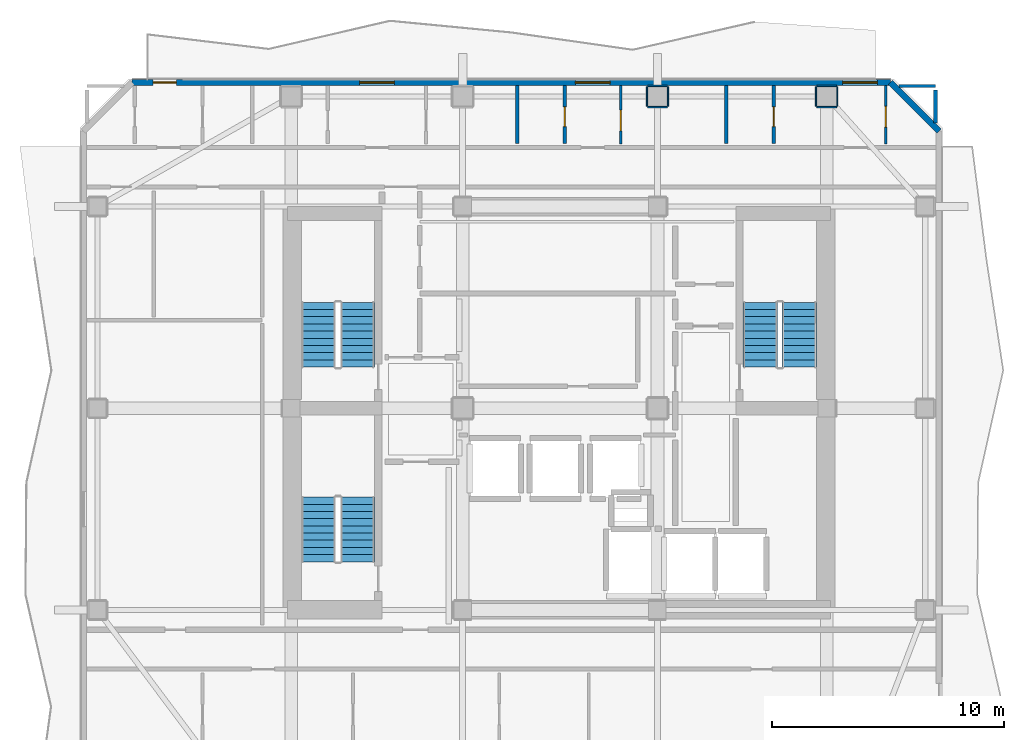
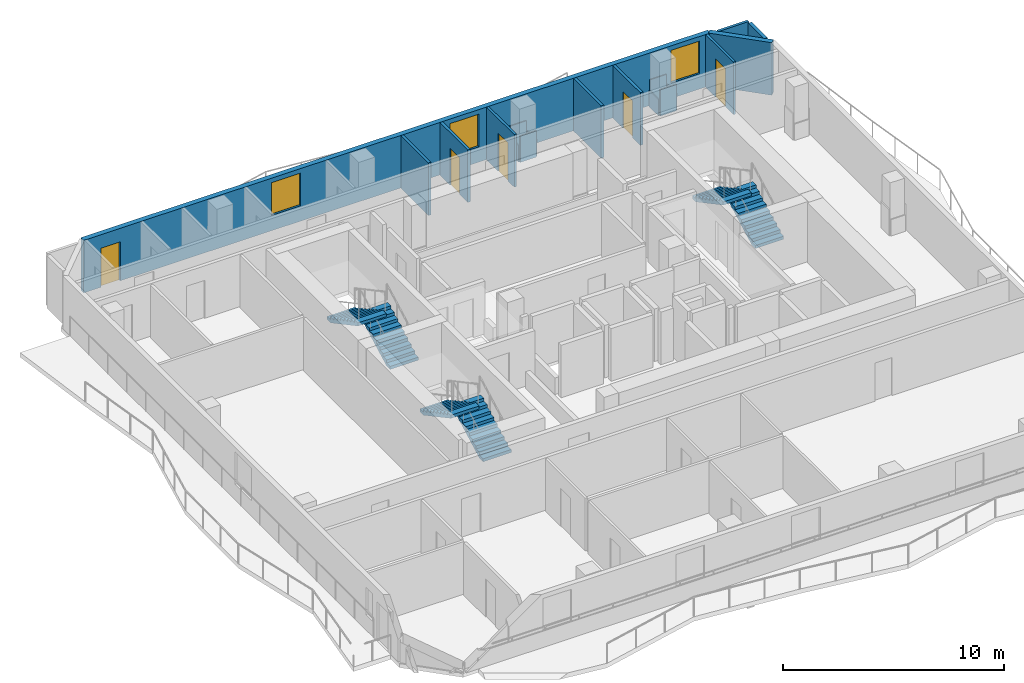
# One storey, part 6 of 10: 18 walls, 6 stair flights, 5 doors, 3 windows, 8 openings, 3 elements without a shape of their own.
"""IFC4 building model written with IfcOpenShell, lengths in metres."""

from ifc_helpers import new_model, si_unit, direction, frame, frame_2d, origin, place, context, subcontext, project, spatial, polyline, rectangle, outline, extrude, material, layer, layer_set, type_object, element, fill, aggregate, save


model = new_model("IFC4")

# Units and contexts
model_context = context("Model", 3, precision=1e-05, world=origin(), true_north=direction((0.0, 1.0)))
body_context = subcontext(model_context, "Body", "Model", "MODEL_VIEW")
ifc_project = project(units=[si_unit("LENGTHUNIT", "METRE"), si_unit("AREAUNIT", "SQUARE_METRE"), si_unit("VOLUMEUNIT", "CUBIC_METRE"), si_unit("PLANEANGLEUNIT", "RADIAN"), si_unit("MASSUNIT", "GRAM", prefix="KILO")], contexts=[model_context])

# Site, building, storey
site_placement = place(None, origin())
site = spatial("IfcSite", under=ifc_project, at=site_placement, CompositionType="ELEMENT")
building_placement = place(site_placement, origin())
building = spatial("IfcBuilding", under=site, at=building_placement, Name="Solanera Arch Residences", CompositionType="ELEMENT")
storey_placement = place(building_placement, frame((0.0, 0.0, 206.760009765625)))
storey = spatial("IfcBuildingStorey", under=building, at=storey_placement, Name="L60", CompositionType="ELEMENT", Elevation=206.760009765625)

# Walls
ifc_material_1 = material(Name="Fire-Rated Gypsum Stud Partition", Category="gypsum")
ifc_layer_1 = layer(ifc_material_1, 0.06005859375)
ifc_layer_set_1 = layer_set([ifc_layer_1], Name="Fire-Rated Gypsum Stud Partition")
wall_type_1 = type_object("IfcWallType", Name="Column Acoustic Furring Wall 60", PredefinedType="PARTITIONING", material=ifc_layer_set_1)
for number, where, z_axis, x_axis, name in (
    (1, (28.77490234375, 43.693115234375, 0.0), (0.0, 0.0, 1.0), (1.0, 0.0, 0.0), "L60 Column Furring 14S"),
    (2, (28.77490234375, 44.60693359375, 0.0), (0.0, 0.0, 1.0), (1.0, 0.0, 0.0), "L60 Column Furring 14N"),
):
    element("IfcWall", number, at=place(storey_placement, frame(where, z_axis=z_axis, x_axis=x_axis)), inside=storey, type_object=wall_type_1, Name=name, PredefinedType="PARTITIONING", context=body_context, shape_type="SweptSolid", body=[
        extrude(rectangle(XDim=0.85009765625, YDim=0.06005859375, at=frame_2d((0.425048828125, 0.0))), origin(), (0.0, 0.0, 1.0), 1.449951171875),
    ])
for number, where, z_axis, x_axis, name in (
    (3, (28.742919921875, 43.72509765625, 0.0), (0.0, 0.0, 1.0), (0.0, 1.0, 0.0), "L60 Column Furring 14W"),
    (4, (29.656982421875, 43.72509765625, 0.0), (0.0, 0.0, 1.0), (0.0, 1.0, 0.0), "L60 Column Furring 14E"),
):
    element("IfcWall", number, at=place(storey_placement, frame(where, z_axis=z_axis, x_axis=x_axis)), inside=storey, type_object=wall_type_1, Name=name, PredefinedType="PARTITIONING", context=body_context, shape_type="SweptSolid", body=[
        extrude(rectangle(XDim=0.849853515625, YDim=0.06005859375, at=frame_2d((0.4248046875, 0.0))), origin(), (0.0, 0.0, 1.0), 0.905029296875),
    ])
for number, where, z_axis, x_axis, name in (
    (5, (36.074951171875, 43.693115234375, 0.0), (0.0, 0.0, 1.0), (1.0, 0.0, 0.0), "L60 Column Furring 16S"),
    (6, (36.074951171875, 44.60693359375, 0.0), (0.0, 0.0, 1.0), (1.0, 0.0, 0.0), "L60 Column Furring 16N"),
):
    element("IfcWall", number, at=place(storey_placement, frame(where, z_axis=z_axis, x_axis=x_axis)), inside=storey, type_object=wall_type_1, Name=name, PredefinedType="PARTITIONING", context=body_context, shape_type="SweptSolid", body=[
        extrude(rectangle(XDim=0.85009765625, YDim=0.06005859375, at=frame_2d((0.425048828125, 0.0))), origin(), (0.0, 0.0, 1.0), 1.449951171875),
    ])
for number, where, z_axis, x_axis, name in (
    (7, (36.04296875, 43.72509765625, 0.0), (0.0, 0.0, 1.0), (0.0, 1.0, 0.0), "L60 Column Furring 16W"),
    (8, (36.95703125, 43.72509765625, 0.0), (0.0, 0.0, 1.0), (0.0, 1.0, 0.0), "L60 Column Furring 16E"),
):
    element("IfcWall", number, at=place(storey_placement, frame(where, z_axis=z_axis, x_axis=x_axis)), inside=storey, type_object=wall_type_1, Name=name, PredefinedType="PARTITIONING", context=body_context, shape_type="SweptSolid", body=[
        extrude(rectangle(XDim=0.849853515625, YDim=0.06005859375, at=frame_2d((0.4248046875, 0.0))), origin(), (0.0, 0.0, 1.0), 0.905029296875),
    ])
ifc_material_2 = material(Name="Autoclaved Aerated Concrete Blockwork", Category="masonry")
ifc_layer_2 = layer(ifc_material_2, 0.179931640625)
ifc_layer_set_2 = layer_set([ifc_layer_2], Name="Autoclaved Aerated Concrete Blockwork")
wall_type_2 = type_object("IfcWallType", Name="Corridor Fire Partition 180", PredefinedType="PARTITIONING", material=ifc_layer_set_2)
wall_1_placement = place(storey_placement, frame((41.199951171875, 43.010986328125, 0.0), z_axis=(0.0, 0.0, 1.0), x_axis=(0.0, 1.0, 0.0)))
element("IfcWall", 9, at=wall_1_placement, inside=storey, type_object=wall_type_2, Name="L60 Interior Partition V10", PredefinedType="PARTITIONING", context=body_context, shape_type="SweptSolid", body=[
    extrude(rectangle(XDim=1.4208984375, YDim=0.179931640625, at=frame_2d((0.71044921875, 0.0))), origin(), (0.0, 0.0, 1.0), 2.89990234375),
])

# Wall, openings, door, windows
ifc_material_3 = material(Name="Precast Concrete C35/45", Category="concrete")
ifc_layer_3 = layer(ifc_material_3, 0.260009765625)
ifc_layer_set_3 = layer_set([ifc_layer_3], Name="Precast Concrete C35/45")
wall_type_3 = type_object("IfcWallType", Name="Exterior Wall Precast Masonry-Frame 260", PredefinedType="STANDARD", material=ifc_layer_set_3)
wall_2_placement = place(storey_placement, frame((6.544921875, 44.7548828125, 0.0), z_axis=(0.0, 0.0, 1.0), x_axis=(1.0, 0.0, 0.0)))
wall_2 = element("IfcWall", 10, at=wall_2_placement, inside=storey, type_object=wall_type_3, Name="L60 Tower Exterior Precast Masonry-Frame Wall N", PredefinedType="STANDARD", context=body_context, shape_type="SweptSolid", body=[
    extrude(rectangle(XDim=32.7099609375, YDim=0.260009765625, at=frame_2d((16.35498046875, 0.0))), origin(), (0.0, 0.0, 1.0), 2.89990234375),
])
opening_1_placement = place(wall_2_placement, frame((0.906982421875, 0.0, 0.0)))
opening_1 = element("IfcOpeningElement", 11, at=opening_1_placement, cuts=wall_2, Name="Opening DB-01", PredefinedType="OPENING", context=body_context, shape_type="SweptSolid", body=[
    extrude(rectangle(XDim=1.0, YDim=2.14990234375, at=frame_2d((0.5, 1.074951171875))), frame((0.0, 0.139892578125, 0.0), z_axis=(0.0, -1.0, 0.0), x_axis=(1.0, 0.0, 0.0)), (0.0, 0.0, 1.0), 0.28),
])
opening_2_placement = place(wall_2_placement, frame((9.804931640625, 0.0, 0.85009765625)))
opening_2 = element("IfcOpeningElement", 12, at=opening_2_placement, cuts=wall_2, Name="Opening W-02", PredefinedType="OPENING", context=body_context, shape_type="SweptSolid", body=[
    extrude(rectangle(XDim=1.5, YDim=1.800048828125, at=frame_2d((0.75, 0.89990234375))), frame((0.0, 0.139892578125, 0.0), z_axis=(0.0, -1.0, 0.0), x_axis=(1.0, 0.0, 0.0)), (0.0, 0.0, 1.0), 0.28),
])
opening_3_placement = place(wall_2_placement, frame((19.115966796875, 0.0, 0.85009765625)))
opening_3 = element("IfcOpeningElement", 13, at=opening_3_placement, cuts=wall_2, Name="Opening W-02", PredefinedType="OPENING", context=body_context, shape_type="SweptSolid", body=[
    extrude(rectangle(XDim=1.5, YDim=1.800048828125, at=frame_2d((0.75, 0.89990234375))), frame((0.0, 0.139892578125, 0.0), z_axis=(0.0, -1.0, 0.0), x_axis=(1.0, 0.0, 0.0)), (0.0, 0.0, 1.0), 0.28),
])
opening_4_placement = place(wall_2_placement, frame((30.64208984375, 0.0, 0.85009765625)))
opening_4 = element("IfcOpeningElement", 14, at=opening_4_placement, cuts=wall_2, Name="Opening W-02", PredefinedType="OPENING", context=body_context, shape_type="SweptSolid", body=[
    extrude(rectangle(XDim=1.5, YDim=1.800048828125, at=frame_2d((0.75, 0.89990234375))), frame((0.0, 0.139892578125, 0.0), z_axis=(0.0, -1.0, 0.0), x_axis=(1.0, 0.0, 0.0)), (0.0, 0.0, 1.0), 0.28),
])
ifc_material_4 = material(Name="Anodised Aluminium Alloy 6063-T6", Category="aluminium")
door_type_1 = type_object("IfcDoorType", Name="Glazed Balcony Swing Door DB-01", OperationType="NOTDEFINED", PredefinedType="DOOR", material=ifc_material_4)
door_1_placement = place(opening_1_placement, origin())
door_1 = element("IfcDoor", 15, at=door_1_placement, inside=storey, type_object=door_type_1, Name="DR-L60-OUT-02", OperationType="SINGLE_SWING_LEFT", OverallHeight=2.14990234375, OverallWidth=1.0, PredefinedType="DOOR", context=body_context, shape_type="SweptSolid", body=[
    extrude(rectangle(XDim=1.0, YDim=2.14990234375, at=frame_2d((0.5, 1.074951171875))), frame((0.0, 0.02490234375, 0.0), z_axis=(0.0, -1.0, 0.0), x_axis=(1.0, 0.0, 0.0)), (0.0, 0.0, 1.0), 0.050048828125),
])
fill(opening_1, door_1)
ifc_material_5 = material(Name="Double Glazed Low-E Laminated Glass", Category="glass")
window_type = type_object("IfcWindowType", Name="Punched Window W-02", PartitioningType="DOUBLE_PANEL_VERTICAL", PredefinedType="WINDOW", material=ifc_material_5)
window_1_placement = place(opening_2_placement, origin())
window_1 = element("IfcWindow", 16, at=window_1_placement, inside=storey, type_object=window_type, Name="L60 6003-LIV Punched Window", OverallHeight=1.800048828125, OverallWidth=1.5, PartitioningType="SINGLE_PANEL", PredefinedType="WINDOW", context=body_context, shape_type="SweptSolid", body=[
    extrude(rectangle(XDim=1.5, YDim=1.800048828125, at=frame_2d((0.75, 0.89990234375))), frame((0.0, 0.030029296875, 0.0), z_axis=(0.0, -1.0, 0.0), x_axis=(1.0, 0.0, 0.0)), (0.0, 0.0, 1.0), 0.06005859375),
])
fill(opening_2, window_1)
window_2_placement = place(opening_3_placement, origin())
window_2 = element("IfcWindow", 17, at=window_2_placement, inside=storey, type_object=window_type, Name="L60 6004-LIV Punched Window", OverallHeight=1.800048828125, OverallWidth=1.5, PartitioningType="SINGLE_PANEL", PredefinedType="WINDOW", context=body_context, shape_type="SweptSolid", body=[
    extrude(rectangle(XDim=1.5, YDim=1.800048828125, at=frame_2d((0.75, 0.89990234375))), frame((0.0, 0.030029296875, 0.0), z_axis=(0.0, -1.0, 0.0), x_axis=(1.0, 0.0, 0.0)), (0.0, 0.0, 1.0), 0.06005859375),
])
fill(opening_3, window_2)
window_3_placement = place(opening_4_placement, origin())
window_3 = element("IfcWindow", 18, at=window_3_placement, inside=storey, type_object=window_type, Name="L60 6005-LIV Punched Window", OverallHeight=1.800048828125, OverallWidth=1.5, PartitioningType="SINGLE_PANEL", PredefinedType="WINDOW", context=body_context, shape_type="SweptSolid", body=[
    extrude(rectangle(XDim=1.5, YDim=1.800048828125, at=frame_2d((0.75, 0.89990234375))), frame((0.0, 0.030029296875, 0.0), z_axis=(0.0, -1.0, 0.0), x_axis=(1.0, 0.0, 0.0)), (0.0, 0.0, 1.0), 0.06005859375),
])
fill(opening_4, window_3)

# Wall
wall_3_placement = place(storey_placement, frame((39.2548828125, 44.7548828125, 0.0), z_axis=(0.0, 0.0, 1.0), x_axis=(0.707147883682, -0.707065676302, 0.0)))
element("IfcWall", 19, at=wall_3_placement, inside=storey, type_object=wall_type_3, Name="L60 Tower Exterior Precast Masonry-Frame Wall CH3", PredefinedType="STANDARD", context=body_context, shape_type="SweptSolid", body=[
    extrude(rectangle(XDim=2.9697265625, YDim=0.260009765625, at=frame_2d((1.48486328125, 0.0))), origin(), (0.0, 0.0, 1.0), 2.89990234375),
])

# Wall, opening, door
ifc_material_6 = material(Name="Fire-Rated Gypsum Stud Partition", Category="gypsum")
ifc_layer_4 = layer(ifc_material_6, 0.1201171875)
ifc_layer_set_4 = layer_set([ifc_layer_4], Name="Fire-Rated Gypsum Stud Partition")
wall_type_4 = type_object("IfcWallType", Name="Unit Drywall Partition 120", PredefinedType="PARTITIONING", material=ifc_layer_set_4)
wall_4_placement = place(storey_placement, frame((27.6201171875, 42.10791015625, 0.0), z_axis=(0.0, 0.0, 1.0), x_axis=(0.0, 1.0, 0.0)))
wall_4 = element("IfcWall", 20, at=wall_4_placement, inside=storey, type_object=wall_type_4, Name="L60 Interior Partition V26", PredefinedType="PARTITIONING", context=body_context, shape_type="SweptSolid", body=[
    extrude(rectangle(XDim=2.505126953125, YDim=0.1201171875, at=frame_2d((1.25244140625, 0.0))), origin(), (0.0, 0.0, 1.0), 2.89990234375),
])
opening_5_placement = place(wall_4_placement, frame((0.556884765625, 0.0, 0.0)))
opening_5 = element("IfcOpeningElement", 21, at=opening_5_placement, cuts=wall_4, Name="Opening DI-02", PredefinedType="OPENING", context=body_context, shape_type="SweptSolid", body=[
    extrude(rectangle(XDim=0.89990234375, YDim=2.10009765625, at=frame_2d((0.449951171875, 1.050048828125))), frame((0.0, 0.070068359375, 0.0), z_axis=(0.0, -1.0, 0.0), x_axis=(1.0, 0.0, 0.0)), (0.0, 0.0, 1.0), 0.1401),
])
ifc_material_7 = material(Name="Fire-Rated Architectural Hardwood", Category="wood")
door_type_2 = type_object("IfcDoorType", Name="Suite Room Swing Door DI-02", OperationType="NOTDEFINED", PredefinedType="DOOR", material=ifc_material_7)
door_2_placement = place(opening_5_placement, origin())
door_2 = element("IfcDoor", 22, at=door_2_placement, inside=storey, type_object=door_type_2, Name="DR-L60-IN-030", OperationType="SINGLE_SWING_LEFT", OverallHeight=2.10009765625, OverallWidth=0.89990234375, PredefinedType="DOOR", context=body_context, shape_type="SweptSolid", body=[
    extrude(rectangle(XDim=0.89990234375, YDim=2.10009765625, at=frame_2d((0.449951171875, 1.050048828125))), frame((0.0, 0.02490234375, 0.0), z_axis=(0.0, -1.0, 0.0), x_axis=(1.0, 0.0, 0.0)), (0.0, 0.0, 1.0), 0.050048828125),
])
fill(opening_5, door_2)

wall_5_placement = place(storey_placement, frame((39.050048828125, 42.10791015625, 0.0), z_axis=(0.0, 0.0, 1.0), x_axis=(0.0, 1.0, 0.0)))
wall_5 = element("IfcWall", 23, at=wall_5_placement, inside=storey, type_object=wall_type_4, Name="L60 Interior Partition V27", PredefinedType="PARTITIONING", context=body_context, shape_type="SweptSolid", body=[
    extrude(rectangle(XDim=2.505126953125, YDim=0.1201171875, at=frame_2d((1.25244140625, 0.0))), origin(), (0.0, 0.0, 1.0), 2.89990234375),
])
opening_6_placement = place(wall_5_placement, frame((0.717041015625, 0.0, 0.0)))
opening_6 = element("IfcOpeningElement", 24, at=opening_6_placement, cuts=wall_5, Name="Opening DI-02", PredefinedType="OPENING", context=body_context, shape_type="SweptSolid", body=[
    extrude(rectangle(XDim=0.89990234375, YDim=2.10009765625, at=frame_2d((0.449951171875, 1.050048828125))), frame((0.0, 0.070068359375, 0.0), z_axis=(0.0, -1.0, 0.0), x_axis=(1.0, 0.0, 0.0)), (0.0, 0.0, 1.0), 0.1401),
])
door_3_placement = place(opening_6_placement, origin())
door_3 = element("IfcDoor", 25, at=door_3_placement, inside=storey, type_object=door_type_2, Name="DR-L60-IN-033", OperationType="SINGLE_SWING_RIGHT", OverallHeight=2.10009765625, OverallWidth=0.89990234375, PredefinedType="DOOR", context=body_context, shape_type="SweptSolid", body=[
    extrude(rectangle(XDim=0.89990234375, YDim=2.10009765625, at=frame_2d((0.449951171875, 1.050048828125))), frame((0.0, 0.02490234375, 0.0), z_axis=(0.0, -1.0, 0.0), x_axis=(1.0, 0.0, 0.0)), (0.0, 0.0, 1.0), 0.050048828125),
])
fill(opening_6, door_3)

# Walls
ifc_material_8 = material(Name="Autoclaved Aerated Concrete Blockwork", Category="masonry")
ifc_layer_5 = layer(ifc_material_8, 0.139892578125)
ifc_layer_set_5 = layer_set([ifc_layer_5], Name="Autoclaved Aerated Concrete Blockwork")
wall_type_5 = type_object("IfcWallType", Name="Wet-Room Partition 140", PredefinedType="PARTITIONING", material=ifc_layer_set_5)
wall_6_placement = place(storey_placement, frame((39.611083984375, 44.60009765625, 0.0), z_axis=(0.0, 0.0, 1.0), x_axis=(1.0, 0.0, 0.0)))
element("IfcWall", 26, at=wall_6_placement, inside=storey, type_object=wall_type_5, Name="L60 Interior Partition H16 2", PredefinedType="PARTITIONING", context=body_context, shape_type="SweptSolid", body=[
    extrude(rectangle(XDim=1.5888671875, YDim=0.139892578125, at=frame_2d((0.79443359375, 0.0))), origin(), (0.0, 0.0, 1.0), 2.89990234375),
])
wall_7_placement = place(storey_placement, frame((23.152099609375, 42.117919921875, 0.0), z_axis=(0.0, 0.0, 1.0), x_axis=(0.0, 1.0, 0.0)))
element("IfcWall", 27, at=wall_7_placement, inside=storey, type_object=wall_type_5, Name="L60 Interior Partition V18", PredefinedType="PARTITIONING", context=body_context, shape_type="SweptSolid", body=[
    extrude(rectangle(XDim=2.4951171875, YDim=0.139892578125, at=frame_2d((1.24755859375, 0.0))), origin(), (0.0, 0.0, 1.0), 2.89990234375),
])

# Wall, opening, door
wall_8_placement = place(storey_placement, frame((25.201904296875, 42.117919921875, 0.0), z_axis=(0.0, 0.0, 1.0), x_axis=(0.0, 1.0, 0.0)))
wall_8 = element("IfcWall", 28, at=wall_8_placement, inside=storey, type_object=wall_type_5, Name="L60 Interior Partition V19", PredefinedType="PARTITIONING", context=body_context, shape_type="SweptSolid", body=[
    extrude(rectangle(XDim=2.4951171875, YDim=0.139892578125, at=frame_2d((1.24755859375, 0.0))), origin(), (0.0, 0.0, 1.0), 2.89990234375),
])
opening_7_placement = place(wall_8_placement, frame((0.72705078125, 0.0, 0.0)))
opening_7 = element("IfcOpeningElement", 29, at=opening_7_placement, cuts=wall_8, Name="Opening DI-05", PredefinedType="OPENING", context=body_context, shape_type="SweptSolid", body=[
    extrude(rectangle(XDim=0.860107421875, YDim=2.02001953125, at=frame_2d((0.43017578125, 1.010009765625))), frame((0.0, 0.079833984375, 0.0), z_axis=(0.0, -1.0, 0.0), x_axis=(1.0, 0.0, 0.0)), (0.0, 0.0, 1.0), 0.1599),
])
ifc_material_9 = material(Name="Fire-Rated Architectural Hardwood", Category="wood")
door_type_3 = type_object("IfcDoorType", Name="Bathroom Swing Door DI-05", OperationType="NOTDEFINED", PredefinedType="DOOR", material=ifc_material_9)
door_4_placement = place(opening_7_placement, origin())
door_4 = element("IfcDoor", 30, at=door_4_placement, inside=storey, type_object=door_type_3, Name="DR-L60-IN-029", OperationType="SINGLE_SWING_RIGHT", OverallHeight=2.02001953125, OverallWidth=0.860107421875, PredefinedType="DOOR", context=body_context, shape_type="SweptSolid", body=[
    extrude(rectangle(XDim=0.860107421875, YDim=2.02001953125, at=frame_2d((0.43017578125, 1.010009765625))), frame((0.0, 0.02490234375, 0.0), z_axis=(0.0, -1.0, 0.0), x_axis=(1.0, 0.0, 0.0)), (0.0, 0.0, 1.0), 0.050048828125),
])
fill(opening_7, door_4)

# Wall
wall_9_placement = place(storey_placement, frame((32.1640625, 42.117919921875, 0.0), z_axis=(0.0, 0.0, 1.0), x_axis=(0.0, 1.0, 0.0)))
element("IfcWall", 31, at=wall_9_placement, inside=storey, type_object=wall_type_5, Name="L60 Interior Partition V20", PredefinedType="PARTITIONING", context=body_context, shape_type="SweptSolid", body=[
    extrude(rectangle(XDim=2.4951171875, YDim=0.139892578125, at=frame_2d((1.24755859375, 0.0))), origin(), (0.0, 0.0, 1.0), 2.89990234375),
])

# Wall, opening, door
wall_10_placement = place(storey_placement, frame((34.214111328125, 42.117919921875, 0.0), z_axis=(0.0, 0.0, 1.0), x_axis=(0.0, 1.0, 0.0)))
wall_10 = element("IfcWall", 32, at=wall_10_placement, inside=storey, type_object=wall_type_5, Name="L60 Interior Partition V21", PredefinedType="PARTITIONING", context=body_context, shape_type="SweptSolid", body=[
    extrude(rectangle(XDim=2.4951171875, YDim=0.139892578125, at=frame_2d((1.24755859375, 0.0))), origin(), (0.0, 0.0, 1.0), 2.89990234375),
])
opening_8_placement = place(wall_10_placement, frame((0.72705078125, 0.0, 0.0)))
opening_8 = element("IfcOpeningElement", 33, at=opening_8_placement, cuts=wall_10, Name="Opening DI-05", PredefinedType="OPENING", context=body_context, shape_type="SweptSolid", body=[
    extrude(rectangle(XDim=0.860107421875, YDim=2.02001953125, at=frame_2d((0.43017578125, 1.010009765625))), frame((0.0, 0.079833984375, 0.0), z_axis=(0.0, -1.0, 0.0), x_axis=(1.0, 0.0, 0.0)), (0.0, 0.0, 1.0), 0.1599),
])
door_5_placement = place(opening_8_placement, origin())
door_5 = element("IfcDoor", 34, at=door_5_placement, inside=storey, type_object=door_type_3, Name="DR-L60-IN-032", OperationType="SINGLE_SWING_LEFT", OverallHeight=2.02001953125, OverallWidth=0.860107421875, PredefinedType="DOOR", context=body_context, shape_type="SweptSolid", body=[
    extrude(rectangle(XDim=0.860107421875, YDim=2.02001953125, at=frame_2d((0.43017578125, 1.010009765625))), frame((0.0, 0.02490234375, 0.0), z_axis=(0.0, -1.0, 0.0), x_axis=(1.0, 0.0, 0.0)), (0.0, 0.0, 1.0), 0.050048828125),
])
fill(opening_8, door_5)

# Stair, stair flights
ifc_material_10 = material(Name="Concrete C40/50 (f'c = 45 MPa)", Category="concrete")
stair_type = type_object("IfcStairType", Name="Tower Dogleg Exit Stair 1480", PredefinedType="HALF_TURN_STAIR", material=ifc_material_10)
stair_1_placement = place(storey_placement, origin())
stair_1 = element("IfcStair", 35, at=stair_1_placement, inside=storey, type_object=stair_type, Name="L60 Tower Core Exit Stair 1", PredefinedType="HALF_TURN_STAIR")
ifc_material_11 = material(Name="Concrete C40/50 (f'c = 45 MPa)", Category="concrete")
stair_flight_type = type_object("IfcStairFlightType", Name="Tower Precast Stair Flight 1480", PredefinedType="STRAIGHT", material=ifc_material_11)
stair_flight_1_placement = place(storey_placement, frame((16.260009765625, 32.47998046875, 0.0), z_axis=(0.0, 0.0, 1.0), x_axis=(0.0, 1.0, 0.0)))
stair_flight_1 = element("IfcStairFlight", 36, at=stair_flight_1_placement, type_object=stair_flight_type, Name="ST-T1 flight 1", NumberOfRisers=10, NumberOfTreads=9, PredefinedType="STRAIGHT", RiserHeight=0.166, TreadLength=0.31, context=body_context, shape_type="SweptSolid", body=[
    extrude(outline(polyline([(0.0, 0.0), (0.0, 0.166015625), (0.31005859375, 0.166015625), (0.31005859375, 0.33203125), (0.6201171875, 0.33203125), (0.6201171875, 0.498046875), (0.929931640625, 0.498046875), (0.929931640625, 0.6640625), (1.239990234375, 0.6640625), (1.239990234375, 0.830078125), (1.550048828125, 0.830078125), (1.550048828125, 0.99609375), (1.860107421875, 0.99609375), (1.860107421875, 1.162109375), (2.169921875, 1.162109375), (2.169921875, 1.327880859375), (2.47998046875, 1.327880859375), (2.47998046875, 1.493896484375), (2.7900390625, 1.493896484375), (2.7900390625, 1.659912109375), (2.7900390625, 1.323974609375), (0.317626953125, 0.0), (0.0, 0.0)])), frame((0.0, 0.739990234375, 0.0), z_axis=(0.0, -1.0, 0.0), x_axis=(1.0, 0.0, 0.0)), (0.0, 0.0, 1.0), 1.47998046875),
])
stair_flight_2_placement = place(storey_placement, frame((14.580078125, 35.27001953125, 1.659912109375), z_axis=(0.0, 0.0, 1.0), x_axis=(0.0, -1.0, 0.0)))
stair_flight_2 = element("IfcStairFlight", 37, at=stair_flight_2_placement, type_object=stair_flight_type, Name="ST-T1 flight 2", NumberOfRisers=10, NumberOfTreads=9, PredefinedType="STRAIGHT", RiserHeight=0.166, TreadLength=0.31, context=body_context, shape_type="SweptSolid", body=[
    extrude(outline(polyline([(0.0, 0.0), (0.0, 0.166015625), (0.31005859375, 0.166015625), (0.31005859375, 0.33203125), (0.6201171875, 0.33203125), (0.6201171875, 0.498046875), (0.929931640625, 0.498046875), (0.929931640625, 0.6640625), (1.239990234375, 0.6640625), (1.239990234375, 0.830078125), (1.550048828125, 0.830078125), (1.550048828125, 0.99609375), (1.860107421875, 0.99609375), (1.860107421875, 1.162109375), (2.169921875, 1.162109375), (2.169921875, 1.327880859375), (2.47998046875, 1.327880859375), (2.47998046875, 1.493896484375), (2.7900390625, 1.493896484375), (2.7900390625, 1.659912109375), (2.7900390625, 1.323974609375), (0.317626953125, 0.0), (0.0, 0.0)])), frame((0.0, 0.739990234375, 0.0), z_axis=(0.0, -1.0, 0.0), x_axis=(1.0, 0.0, 0.0)), (0.0, 0.0, 1.0), 1.47998046875),
])
aggregate(stair_1, [stair_flight_1, stair_flight_2])

stair_2_placement = place(storey_placement, origin())
stair_2 = element("IfcStair", 38, at=stair_2_placement, inside=storey, type_object=stair_type, Name="L60 Tower Core Exit Stair 2", PredefinedType="HALF_TURN_STAIR")
stair_flight_3_placement = place(storey_placement, frame((35.320068359375, 32.47998046875, 0.0), z_axis=(0.0, 0.0, 1.0), x_axis=(0.0, 1.0, 0.0)))
stair_flight_3 = element("IfcStairFlight", 39, at=stair_flight_3_placement, type_object=stair_flight_type, Name="ST-T2 flight 1", NumberOfRisers=10, NumberOfTreads=9, PredefinedType="STRAIGHT", RiserHeight=0.166, TreadLength=0.31, context=body_context, shape_type="SweptSolid", body=[
    extrude(outline(polyline([(0.0, 0.0), (0.0, 0.166015625), (0.31005859375, 0.166015625), (0.31005859375, 0.33203125), (0.6201171875, 0.33203125), (0.6201171875, 0.498046875), (0.929931640625, 0.498046875), (0.929931640625, 0.6640625), (1.239990234375, 0.6640625), (1.239990234375, 0.830078125), (1.550048828125, 0.830078125), (1.550048828125, 0.99609375), (1.860107421875, 0.99609375), (1.860107421875, 1.162109375), (2.169921875, 1.162109375), (2.169921875, 1.327880859375), (2.47998046875, 1.327880859375), (2.47998046875, 1.493896484375), (2.7900390625, 1.493896484375), (2.7900390625, 1.659912109375), (2.7900390625, 1.323974609375), (0.317626953125, 0.0), (0.0, 0.0)])), frame((0.0, 0.739990234375, 0.0), z_axis=(0.0, -1.0, 0.0), x_axis=(1.0, 0.0, 0.0)), (0.0, 0.0, 1.0), 1.47998046875),
])
stair_flight_4_placement = place(storey_placement, frame((33.639892578125, 35.27001953125, 1.659912109375), z_axis=(0.0, 0.0, 1.0), x_axis=(0.0, -1.0, 0.0)))
stair_flight_4 = element("IfcStairFlight", 40, at=stair_flight_4_placement, type_object=stair_flight_type, Name="ST-T2 flight 2", NumberOfRisers=10, NumberOfTreads=9, PredefinedType="STRAIGHT", RiserHeight=0.166, TreadLength=0.31, context=body_context, shape_type="SweptSolid", body=[
    extrude(outline(polyline([(0.0, 0.0), (0.0, 0.166015625), (0.31005859375, 0.166015625), (0.31005859375, 0.33203125), (0.6201171875, 0.33203125), (0.6201171875, 0.498046875), (0.929931640625, 0.498046875), (0.929931640625, 0.6640625), (1.239990234375, 0.6640625), (1.239990234375, 0.830078125), (1.550048828125, 0.830078125), (1.550048828125, 0.99609375), (1.860107421875, 0.99609375), (1.860107421875, 1.162109375), (2.169921875, 1.162109375), (2.169921875, 1.327880859375), (2.47998046875, 1.327880859375), (2.47998046875, 1.493896484375), (2.7900390625, 1.493896484375), (2.7900390625, 1.659912109375), (2.7900390625, 1.323974609375), (0.317626953125, 0.0), (0.0, 0.0)])), frame((0.0, 0.739990234375, 0.0), z_axis=(0.0, -1.0, 0.0), x_axis=(1.0, 0.0, 0.0)), (0.0, 0.0, 1.0), 1.47998046875),
])
aggregate(stair_2, [stair_flight_3, stair_flight_4])

stair_3_placement = place(storey_placement, origin())
stair_3 = element("IfcStair", 41, at=stair_3_placement, inside=storey, type_object=stair_type, Name="L60 Tower Core Exit Stair 3", PredefinedType="HALF_TURN_STAIR")
stair_flight_5_placement = place(storey_placement, frame((16.260009765625, 24.080078125, 0.0), z_axis=(0.0, 0.0, 1.0), x_axis=(0.0, 1.0, 0.0)))
stair_flight_5 = element("IfcStairFlight", 42, at=stair_flight_5_placement, type_object=stair_flight_type, Name="ST-T3 flight 1", NumberOfRisers=10, NumberOfTreads=9, PredefinedType="STRAIGHT", RiserHeight=0.166, TreadLength=0.31, context=body_context, shape_type="SweptSolid", body=[
    extrude(outline(polyline([(0.0, 0.0), (0.0, 0.166015625), (0.31005859375, 0.166015625), (0.31005859375, 0.33203125), (0.6201171875, 0.33203125), (0.6201171875, 0.498046875), (0.929931640625, 0.498046875), (0.929931640625, 0.6640625), (1.239990234375, 0.6640625), (1.239990234375, 0.830078125), (1.550048828125, 0.830078125), (1.550048828125, 0.99609375), (1.860107421875, 0.99609375), (1.860107421875, 1.162109375), (2.169921875, 1.162109375), (2.169921875, 1.327880859375), (2.47998046875, 1.327880859375), (2.47998046875, 1.493896484375), (2.7900390625, 1.493896484375), (2.7900390625, 1.659912109375), (2.7900390625, 1.323974609375), (0.317626953125, 0.0), (0.0, 0.0)])), frame((0.0, 0.739990234375, 0.0), z_axis=(0.0, -1.0, 0.0), x_axis=(1.0, 0.0, 0.0)), (0.0, 0.0, 1.0), 1.47998046875),
])
stair_flight_6_placement = place(storey_placement, frame((14.580078125, 26.8701171875, 1.659912109375), z_axis=(0.0, 0.0, 1.0), x_axis=(0.0, -1.0, 0.0)))
stair_flight_6 = element("IfcStairFlight", 43, at=stair_flight_6_placement, type_object=stair_flight_type, Name="ST-T3 flight 2", NumberOfRisers=10, NumberOfTreads=9, PredefinedType="STRAIGHT", RiserHeight=0.166, TreadLength=0.31, context=body_context, shape_type="SweptSolid", body=[
    extrude(outline(polyline([(0.0, 0.0), (0.0, 0.166015625), (0.31005859375, 0.166015625), (0.31005859375, 0.33203125), (0.6201171875, 0.33203125), (0.6201171875, 0.498046875), (0.929931640625, 0.498046875), (0.929931640625, 0.6640625), (1.239990234375, 0.6640625), (1.239990234375, 0.830078125), (1.550048828125, 0.830078125), (1.550048828125, 0.99609375), (1.860107421875, 0.99609375), (1.860107421875, 1.162109375), (2.169921875, 1.162109375), (2.169921875, 1.327880859375), (2.47998046875, 1.327880859375), (2.47998046875, 1.493896484375), (2.7900390625, 1.493896484375), (2.7900390625, 1.659912109375), (2.7900390625, 1.323974609375), (0.317626953125, 0.0), (0.0, 0.0)])), frame((0.0, 0.739990234375, 0.0), z_axis=(0.0, -1.0, 0.0), x_axis=(1.0, 0.0, 0.0)), (0.0, 0.0, 1.0), 1.47998046875),
])
aggregate(stair_3, [stair_flight_5, stair_flight_6])

save(model, "model.ifc")
